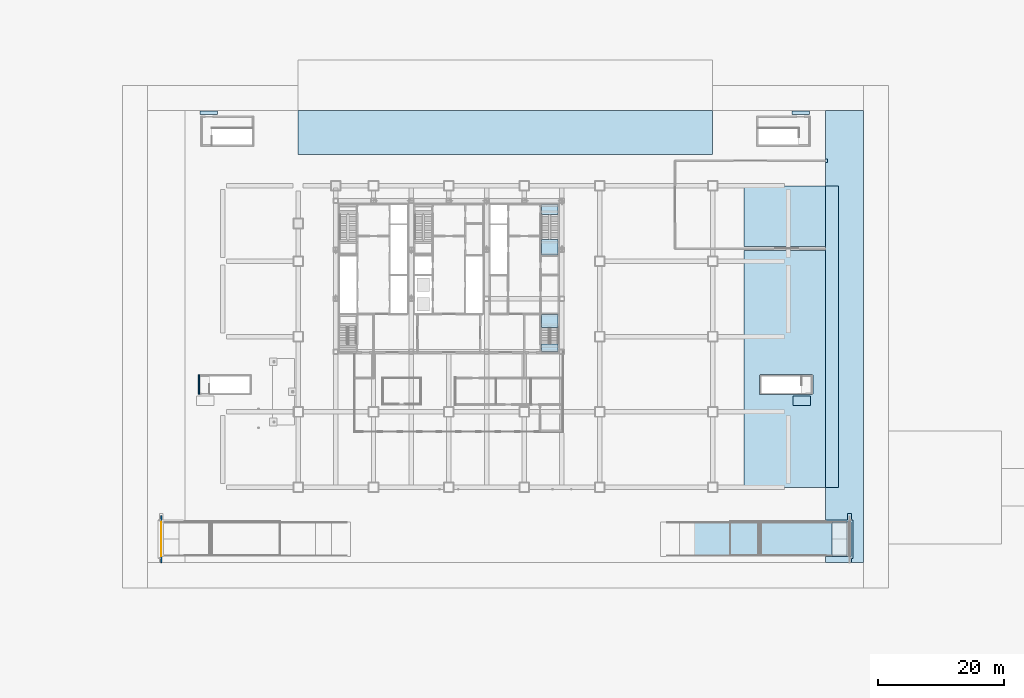
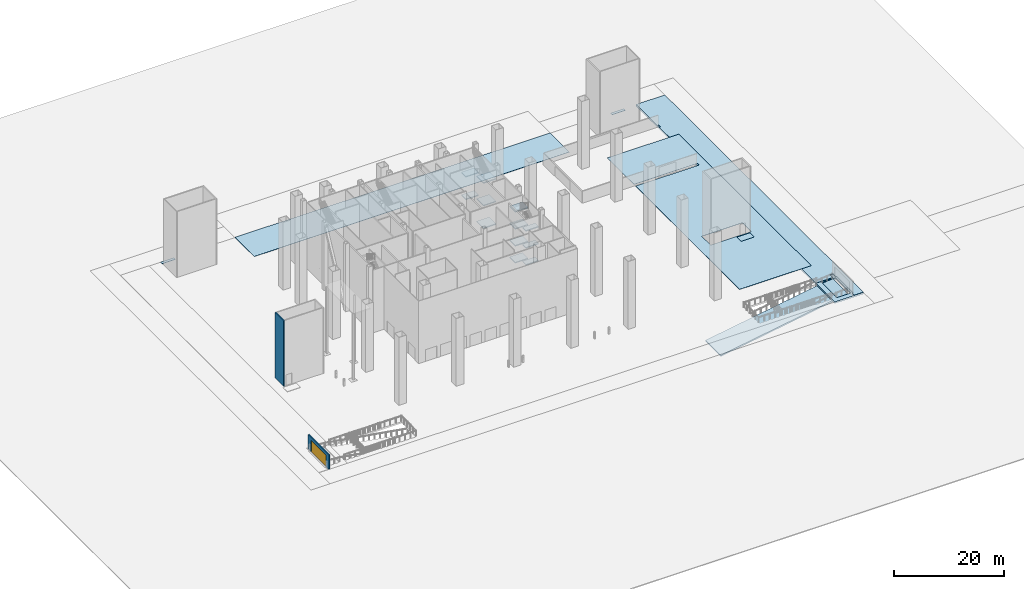
# One storey, part 5 of 22: 21 slabs, 2 walls, 1 door, 1 opening, 3 elements without a shape of their own.
"""IFC4 building model written with IfcOpenShell, lengths in metres."""

from ifc_helpers import new_model, si_unit, direction, frame, frame_2d, origin, place, context, subcontext, project, spatial, polyline, rectangle, outline, extrude, material, layer, layer_set, type_object, element, fill, aggregate, save


model = new_model("IFC4")

# Units and contexts
model_context = context("Model", 3, precision=1e-05, world=origin(), true_north=direction((0.0, 1.0)))
body_context = subcontext(model_context, "Body", "Model", "MODEL_VIEW")
ifc_project = project(units=[si_unit("LENGTHUNIT", "METRE"), si_unit("AREAUNIT", "SQUARE_METRE"), si_unit("VOLUMEUNIT", "CUBIC_METRE"), si_unit("PLANEANGLEUNIT", "RADIAN"), si_unit("MASSUNIT", "GRAM", prefix="KILO")], contexts=[model_context])

# Site, building, storey
site_placement = place(None, origin())
site = spatial("IfcSite", under=ifc_project, at=site_placement, CompositionType="ELEMENT")
building_placement = place(site_placement, origin())
building = spatial("IfcBuilding", under=site, at=building_placement, Name="Sorahane Residences", CompositionType="ELEMENT")
storey_placement = place(building_placement, origin())
storey = spatial("IfcBuildingStorey", under=building, at=storey_placement, Name="L00", CompositionType="ELEMENT", Elevation=0.0)

# Slabs
ifc_material_1 = material(Name="Granite paving", Category="masonry")
ifc_layer_1 = layer(ifc_material_1, 0.06005859375)
ifc_layer_set_1 = layer_set([ifc_layer_1], Name="Granite paving 60 on screed")
slab_type_1 = type_object("IfcSlabType", Name="Granite paving 60 on screed", PredefinedType="USERDEFINED", material=ifc_layer_set_1)
slab_1_placement = place(storey_placement, origin())
element("IfcSlab", 1, at=slab_1_placement, inside=storey, type_object=slab_type_1, Name="Paving at Basement stair BS1 exit", ObjectType="PAVING", PredefinedType="USERDEFINED", context=body_context, shape_type="SweptSolid", body=[
    extrude(outline(polyline([(-15.60009765625, 59.35009765625), (-12.800048828125, 59.35009765625), (-12.800048828125, 59.949951171875), (-15.60009765625, 59.949951171875), (-15.60009765625, 59.35009765625)])), origin(), (0.0, 0.0, 1.0), 0.06005859375),
])
slab_2_placement = place(storey_placement, origin())
element("IfcSlab", 2, at=slab_2_placement, inside=storey, type_object=slab_type_1, Name="Paving at Basement stair BS2 exit", ObjectType="PAVING", PredefinedType="USERDEFINED", context=body_context, shape_type="SweptSolid", body=[
    extrude(outline(polyline([(78.60009765625, 59.35009765625), (81.39990234375, 59.35009765625), (81.39990234375, 59.949951171875), (78.60009765625, 59.949951171875), (78.60009765625, 59.35009765625)])), origin(), (0.0, 0.0, 1.0), 0.06005859375),
])
slab_3_placement = place(storey_placement, origin())
element("IfcSlab", 3, at=slab_3_placement, inside=storey, type_object=slab_type_1, Name="Paving at Basement stair BS4 exit", ObjectType="PAVING", PredefinedType="USERDEFINED", context=body_context, shape_type="SweptSolid", body=[
    extrude(outline(polyline([(78.800048828125, 13.0), (81.60009765625, 13.0), (81.60009765625, 14.550048828125), (78.800048828125, 14.550048828125), (78.800048828125, 13.0)])), origin(), (0.0, 0.0, 1.0), 0.06005859375),
])
slab_4_placement = place(storey_placement, origin())
element("IfcSlab", 4, at=slab_4_placement, inside=storey, type_object=slab_type_1, Name="Appliance hardstanding north", ObjectType="PAVING", PredefinedType="USERDEFINED", context=body_context, shape_type="SweptSolid", body=[
    extrude(outline(polyline([(0.0, 53.0), (0.0, 60.0), (66.0, 60.0), (66.0, 53.0), (0.0, 53.0)])), origin(), (0.0, 0.0, 1.0), 0.06005859375),
])
slab_5_placement = place(storey_placement, origin())
element("IfcSlab", 5, at=slab_5_placement, inside=storey, type_object=slab_type_1, Name="Appliance hardstanding east", ObjectType="PAVING", PredefinedType="USERDEFINED", context=body_context, shape_type="SweptSolid", body=[
    extrude(outline(polyline([(71.0, 37.699951171875), (84.300048828125, 37.699951171875), (84.300048828125, 38.300048828125), (71.0, 38.300048828125), (71.0, 48.0), (86.0, 48.0), (86.0, 0.0), (71.0, 0.0), (71.0, 37.699951171875)]), holes=[polyline([(81.60009765625, 14.550048828125), (78.800048828125, 14.550048828125), (78.800048828125, 13.0), (81.60009765625, 13.0), (81.60009765625, 14.550048828125)]), polyline([(73.57080078125, 14.7529296875), (73.585205078125, 14.750732421875), (73.60009765625, 14.75), (81.800048828125, 14.75), (81.814697265625, 14.750732421875), (81.829345703125, 14.7529296875), (81.843505859375, 14.756591796875), (81.857421875, 14.761474609375), (81.87060546875, 14.767578125), (81.88330078125, 14.775390625), (81.895263671875, 14.783935546875), (81.906005859375, 14.7939453125), (81.916015625, 14.8046875), (81.9248046875, 14.816650390625), (81.932373046875, 14.829345703125), (81.938720703125, 14.842529296875), (81.943603515625, 14.8564453125), (81.947021484375, 14.87060546875), (81.94921875, 14.88525390625), (81.949951171875, 14.89990234375), (81.949951171875, 17.800048828125), (81.94921875, 17.814697265625), (81.947021484375, 17.829345703125), (81.943603515625, 17.843505859375), (81.938720703125, 17.857421875), (81.932373046875, 17.87060546875), (81.9248046875, 17.88330078125), (81.916015625, 17.895263671875), (81.906005859375, 17.906005859375), (81.895263671875, 17.916015625), (81.88330078125, 17.9248046875), (81.87060546875, 17.932373046875), (81.857421875, 17.938720703125), (81.843505859375, 17.943603515625), (81.829345703125, 17.947021484375), (81.814697265625, 17.94921875), (81.800048828125, 17.949951171875), (73.60009765625, 17.949951171875), (73.585205078125, 17.94921875), (73.57080078125, 17.947021484375), (73.556396484375, 17.943603515625), (73.54248046875, 17.938720703125), (73.529296875, 17.932373046875), (73.5166015625, 17.9248046875), (73.5048828125, 17.916015625), (73.493896484375, 17.906005859375), (73.48388671875, 17.895263671875), (73.475341796875, 17.88330078125), (73.4677734375, 17.87060546875), (73.46142578125, 17.857421875), (73.45654296875, 17.843505859375), (73.452880859375, 17.829345703125), (73.45068359375, 17.814697265625), (73.449951171875, 17.800048828125), (73.449951171875, 14.89990234375), (73.45068359375, 14.88525390625), (73.452880859375, 14.87060546875), (73.45654296875, 14.8564453125), (73.46142578125, 14.842529296875), (73.4677734375, 14.829345703125), (73.475341796875, 14.816650390625), (73.48388671875, 14.8046875), (73.493896484375, 14.7939453125), (73.5048828125, 14.783935546875), (73.5166015625, 14.775390625), (73.529296875, 14.767578125), (73.54248046875, 14.761474609375), (73.556396484375, 14.756591796875), (73.57080078125, 14.7529296875)])]), origin(), (0.0, 0.0, 1.0), 0.06005859375),
])
slab_6_placement = place(storey_placement, origin())
element("IfcSlab", 6, at=slab_6_placement, inside=storey, type_object=slab_type_1, Name="Plaza paving 2", ObjectType="PAVING", PredefinedType="USERDEFINED", context=body_context, shape_type="SweptSolid", body=[
    extrude(outline(polyline([(88.10009765625, -12.0), (88.10009765625, -11.300048828125), (88.300048828125, -11.300048828125), (88.300048828125, -5.199951171875), (88.10009765625, -5.199951171875), (88.10009765625, -4.199951171875), (87.5, -4.199951171875), (87.5, -5.199951171875), (84.0, -5.199951171875), (84.0, 0.0), (86.0, 0.0), (86.0, 48.0), (84.0, 48.0), (84.0, 51.699951171875), (84.300048828125, 51.699951171875), (84.300048828125, 52.300048828125), (84.0, 52.300048828125), (84.0, 60.0), (90.0, 60.0), (90.0, -12.0), (88.10009765625, -12.0)])), origin(), (0.0, 0.0, 1.0), 0.06005859375),
])
ifc_material_2 = material(Name="Concrete C40", Category="concrete")
ifc_layer_2 = layer(ifc_material_2, 0.360107421875)
ifc_layer_set_2 = layer_set([ifc_layer_2], Name="Reinforced concrete floor slab 360 mm Concrete C40")
slab_type_2 = type_object("IfcSlabType", Name="Reinforced concrete floor slab 360 mm Concrete C40", PredefinedType="FLOOR", material=ifc_layer_set_2)
slab_7_placement = place(storey_placement, frame((0.0, 0.0, -0.360107421875)))
element("IfcSlab", 7, at=slab_7_placement, inside=storey, type_object=slab_type_2, Name="Slab L00/plaza2", PredefinedType="FLOOR", context=body_context, shape_type="SweptSolid", body=[
    extrude(outline(polyline([(90.0, -12.0), (84.0, -12.0), (84.0, 60.0), (90.0, 60.0), (90.0, -12.0)]), holes=[polyline([(88.0, -11.0), (88.0, -5.5), (85.0, -5.5), (85.0, -11.0), (88.0, -11.0)])]), origin(), (0.0, 0.0, 1.0), 0.360107421875),
])

# Stair, slabs
ifc_material_3 = material(Name="Concrete C40", Category="concrete")
stair_type = type_object("IfcStairType", Name="Dog-leg stair 1250 Concrete C40", PredefinedType="HALF_TURN_STAIR", material=ifc_material_3)
stair_1_placement = place(storey_placement, origin())
stair_1 = element("IfcStair", 8, at=stair_1_placement, inside=storey, type_object=stair_type, Name="L00 Stair S2", PredefinedType="HALF_TURN_STAIR")
ifc_material_4 = material(Name="Concrete C40", Category="concrete")
ifc_layer_3 = layer(ifc_material_4, 0.199951171875)
ifc_layer_set_3 = layer_set([ifc_layer_3], Name="Stair landing 200 Concrete C40")
slab_type_3 = type_object("IfcSlabType", Name="Stair landing 200 Concrete C40", PredefinedType="LANDING", material=ifc_layer_set_3)
slab_8_placement = place(storey_placement, frame((0.0, 0.0, 2.300048828125)))
slab_8 = element("IfcSlab", 9, at=slab_8_placement, type_object=slab_type_3, Name="S2 landing 1", PredefinedType="LANDING", context=body_context, shape_type="SweptSolid", body=[
    extrude(outline(polyline([(38.75, 39.47998046875), (38.75, 37.0), (41.39990234375, 37.0), (41.39990234375, 39.47998046875), (38.75, 39.47998046875)])), origin(), (0.0, 0.0, 1.0), 0.199951171875),
])
slab_9_placement = place(storey_placement, frame((0.0, 0.0, 4.800048828125)))
slab_9 = element("IfcSlab", 10, at=slab_9_placement, type_object=slab_type_3, Name="S2 landing 2", PredefinedType="LANDING", context=body_context, shape_type="SweptSolid", body=[
    extrude(outline(polyline([(38.75, 45.0), (38.75, 43.39990234375), (41.39990234375, 43.39990234375), (41.39990234375, 45.0), (38.75, 45.0)])), origin(), (0.0, 0.0, 1.0), 0.199951171875),
])
slab_10_placement = place(storey_placement, frame((0.0, 0.0, 7.300048828125)))
slab_10 = element("IfcSlab", 11, at=slab_10_placement, type_object=slab_type_3, Name="S2 landing 3", PredefinedType="LANDING", context=body_context, shape_type="SweptSolid", body=[
    extrude(outline(polyline([(38.75, 39.47998046875), (38.75, 37.0), (41.39990234375, 37.0), (41.39990234375, 39.47998046875), (38.75, 39.47998046875)])), origin(), (0.0, 0.0, 1.0), 0.199951171875),
])
slab_11_placement = place(storey_placement, frame((0.0, 0.0, 9.800048828125)))
slab_11 = element("IfcSlab", 12, at=slab_11_placement, type_object=slab_type_3, Name="S2 landing 4", PredefinedType="LANDING", context=body_context, shape_type="SweptSolid", body=[
    extrude(outline(polyline([(38.75, 45.0), (38.75, 43.39990234375), (41.39990234375, 43.39990234375), (41.39990234375, 45.0), (38.75, 45.0)])), origin(), (0.0, 0.0, 1.0), 0.199951171875),
])
slab_12_placement = place(storey_placement, frame((0.0, 0.0, 12.300048828125)))
slab_12 = element("IfcSlab", 13, at=slab_12_placement, type_object=slab_type_3, Name="S2 landing 5", PredefinedType="LANDING", context=body_context, shape_type="SweptSolid", body=[
    extrude(outline(polyline([(38.75, 39.47998046875), (38.75, 37.0), (41.39990234375, 37.0), (41.39990234375, 39.47998046875), (38.75, 39.47998046875)])), origin(), (0.0, 0.0, 1.0), 0.199951171875),
])
aggregate(stair_1, [slab_8, slab_9, slab_10, slab_11, slab_12])

stair_2_placement = place(storey_placement, origin())
stair_2 = element("IfcStair", 14, at=stair_2_placement, inside=storey, type_object=stair_type, Name="L00 Stair S5", PredefinedType="HALF_TURN_STAIR")
slab_13_placement = place(storey_placement, frame((0.0, 0.0, 1.675048828125)))
slab_13 = element("IfcSlab", 15, at=slab_13_placement, type_object=slab_type_3, Name="S5 landing 1", PredefinedType="LANDING", context=body_context, shape_type="SweptSolid", body=[
    extrude(outline(polyline([(41.39990234375, 25.449951171875), (41.39990234375, 27.5), (38.75, 27.5), (38.75, 25.449951171875), (41.39990234375, 25.449951171875)])), origin(), (0.0, 0.0, 1.0), 0.199951171875),
])
slab_14_placement = place(storey_placement, frame((0.0, 0.0, 3.550048828125)))
slab_14 = element("IfcSlab", 16, at=slab_14_placement, type_object=slab_type_3, Name="S5 landing 2", PredefinedType="LANDING", context=body_context, shape_type="SweptSolid", body=[
    extrude(outline(polyline([(41.39990234375, 21.60009765625), (41.39990234375, 22.85009765625), (38.75, 22.85009765625), (38.75, 21.60009765625), (41.39990234375, 21.60009765625)])), origin(), (0.0, 0.0, 1.0), 0.199951171875),
])
slab_15_placement = place(storey_placement, frame((0.0, 0.0, 5.425048828125)))
slab_15 = element("IfcSlab", 17, at=slab_15_placement, type_object=slab_type_3, Name="S5 landing 3", PredefinedType="LANDING", context=body_context, shape_type="SweptSolid", body=[
    extrude(outline(polyline([(41.39990234375, 25.449951171875), (41.39990234375, 27.5), (38.75, 27.5), (38.75, 25.449951171875), (41.39990234375, 25.449951171875)])), origin(), (0.0, 0.0, 1.0), 0.199951171875),
])
slab_16_placement = place(storey_placement, frame((0.0, 0.0, 7.300048828125)))
slab_16 = element("IfcSlab", 18, at=slab_16_placement, type_object=slab_type_3, Name="S5 landing 4", PredefinedType="LANDING", context=body_context, shape_type="SweptSolid", body=[
    extrude(outline(polyline([(41.39990234375, 21.60009765625), (41.39990234375, 22.85009765625), (38.75, 22.85009765625), (38.75, 21.60009765625), (41.39990234375, 21.60009765625)])), origin(), (0.0, 0.0, 1.0), 0.199951171875),
])
slab_17_placement = place(storey_placement, frame((0.0, 0.0, 9.175048828125)))
slab_17 = element("IfcSlab", 19, at=slab_17_placement, type_object=slab_type_3, Name="S5 landing 5", PredefinedType="LANDING", context=body_context, shape_type="SweptSolid", body=[
    extrude(outline(polyline([(41.39990234375, 25.449951171875), (41.39990234375, 27.5), (38.75, 27.5), (38.75, 25.449951171875), (41.39990234375, 25.449951171875)])), origin(), (0.0, 0.0, 1.0), 0.199951171875),
])
slab_18_placement = place(storey_placement, frame((0.0, 0.0, 11.050048828125)))
slab_18 = element("IfcSlab", 20, at=slab_18_placement, type_object=slab_type_3, Name="S5 landing 6", PredefinedType="LANDING", context=body_context, shape_type="SweptSolid", body=[
    extrude(outline(polyline([(41.39990234375, 21.60009765625), (41.39990234375, 22.85009765625), (38.75, 22.85009765625), (38.75, 21.60009765625), (41.39990234375, 21.60009765625)])), origin(), (0.0, 0.0, 1.0), 0.199951171875),
])
slab_19_placement = place(storey_placement, frame((0.0, 0.0, 12.925048828125)))
slab_19 = element("IfcSlab", 21, at=slab_19_placement, type_object=slab_type_3, Name="S5 landing 7", PredefinedType="LANDING", context=body_context, shape_type="SweptSolid", body=[
    extrude(outline(polyline([(41.39990234375, 25.449951171875), (41.39990234375, 27.5), (38.75, 27.5), (38.75, 25.449951171875), (41.39990234375, 25.449951171875)])), origin(), (0.0, 0.0, 1.0), 0.199951171875),
])
aggregate(stair_2, [slab_13, slab_14, slab_15, slab_16, slab_17, slab_18, slab_19])

# Ramp, slabs
ifc_material_5 = material(Name="Concrete C40", Category="concrete")
ifc_layer_4 = layer(ifc_material_5, 0.300048828125)
ifc_layer_set_4 = layer_set([ifc_layer_4], Name="Vehicle ramp 300 Concrete C40")
ramp_type = type_object("IfcRampType", Name="Vehicle ramp 300 Concrete C40", PredefinedType="STRAIGHT_RUN_RAMP", material=ifc_layer_set_4)
ramp_placement = place(storey_placement, origin())
ramp = element("IfcRamp", 22, at=ramp_placement, inside=storey, type_object=ramp_type, Name="Vehicle ramp E L00 to B1", PredefinedType="STRAIGHT_RUN_RAMP")
ifc_material_6 = material(Name="Concrete C40", Category="concrete")
ifc_layer_5 = layer(ifc_material_6, 0.300048828125)
ifc_layer_set_5 = layer_set([ifc_layer_5], Name="Vehicle ramp slab 300 Concrete C40")
slab_type_4 = type_object("IfcSlabType", Name="Vehicle ramp slab 300 Concrete C40", PredefinedType="USERDEFINED", material=ifc_layer_set_5)
slab_20_placement = place(storey_placement, frame((87.39990234375, -11.0, 0.0), z_axis=(-0.083028700011, 0.0, 0.996547156423), x_axis=(-0.996547156423, 0.0, -0.083028700011)))
slab_20 = element("IfcSlab", 23, at=slab_20_placement, type_object=slab_type_4, Name="Ramp slab E L00 1", ObjectType="RAMP", PredefinedType="USERDEFINED", context=body_context, shape_type="SweptSolid", body=[
    extrude(outline(polyline([(0.0, 0.0), (2.408217542223071, 0.0), (2.408217542223071, -5.5), (0.0, -5.5), (0.0, 0.0)])), origin(), (0.0, 0.0, -1.0), 0.300048828125),
])
slab_21_placement = place(storey_placement, frame((85.0, -11.0, -0.199951171875), z_axis=(-0.164400594367, 0.0, 0.986393655987), x_axis=(-0.986393655987, 0.0, -0.164400594367)))
slab_21 = element("IfcSlab", 24, at=slab_21_placement, type_object=slab_type_4, Name="Ramp slab E L00 2", ObjectType="RAMP", PredefinedType="USERDEFINED", context=body_context, shape_type="SweptSolid", body=[
    extrude(outline(polyline([(0.0, 0.0), (24.6352444388006, 0.0), (24.6352444388006, -5.499999999999999), (0.0, -5.499999999999999), (0.0, 0.0)])), origin(), (0.0, 0.0, -1.0), 0.300048828125),
])
aggregate(ramp, [slab_20, slab_21])

# Wall
ifc_material_7 = material(Name="Concrete blockwork C20 wall", Category="masonry")
ifc_layer_6 = layer(ifc_material_7, 0.199951171875)
ifc_layer_set_6 = layer_set([ifc_layer_6], Name="Fire wall 200 EI 120")
wall_type_1 = type_object("IfcWallType", Name="Fire wall 200 EI 120", PredefinedType="SOLIDWALL", material=ifc_layer_set_6)
wall_1_placement = place(storey_placement, frame((-15.800048828125, 14.800048828125, 0.0), z_axis=(0.0, 0.0, 1.0), x_axis=(0.0, 1.0, 0.0)))
element("IfcWall", 25, at=wall_1_placement, inside=storey, type_object=wall_type_1, Name="L00 fire wall", PredefinedType="SOLIDWALL", context=body_context, shape_type="SweptSolid", body=[
    extrude(rectangle(XDim=3.099853515625, YDim=0.199951171875, at=frame_2d((1.5498046875, 0.0))), origin(), (0.0, 0.0, 1.0), 14.550048828125),
])

# Wall, opening, door
ifc_material_8 = material(Name="Concrete C30", Category="concrete")
ifc_layer_7 = layer(ifc_material_8, 0.199951171875)
ifc_layer_set_7 = layer_set([ifc_layer_7], Name="Gate screen wall 200 Concrete C30")
wall_type_2 = type_object("IfcWallType", Name="Gate screen wall 200 Concrete C30", PredefinedType="SOLIDWALL", material=ifc_layer_set_7)
wall_2_placement = place(storey_placement, frame((-21.800048828125, -12.0, 0.0), z_axis=(0.0, 0.0, 1.0), x_axis=(0.0, 1.0, 0.0)))
wall_2 = element("IfcWall", 26, at=wall_2_placement, inside=storey, type_object=wall_type_2, Name="West ramp portal gate screen", PredefinedType="SOLIDWALL", context=body_context, shape_type="SweptSolid", body=[
    extrude(rectangle(XDim=7.5, YDim=0.199951171875, at=frame_2d((3.75, 0.0))), origin(), (0.0, 0.0, 1.0), 3.199951171875),
])
opening_placement = place(wall_2_placement, frame((1.0, 0.0, 0.0)))
opening = element("IfcOpeningElement", 27, at=opening_placement, cuts=wall_2, Name="Opening G-W", PredefinedType="OPENING", context=body_context, shape_type="SweptSolid", body=[
    extrude(rectangle(XDim=5.5, YDim=2.5, at=frame_2d((2.75, 1.25))), frame((0.0, 0.10986328125, 0.0), z_axis=(0.0, -1.0, 0.0), x_axis=(1.0, 0.0, 0.0)), (0.0, 0.0, 1.0), 0.219970703125),
])
ifc_material_9 = material(Name="Galvanised steel", Category="steel")
door_type = type_object("IfcDoorType", Name="Vehicle gate sliding 5500x2500 Steel", OperationType="SLIDING_TO_LEFT", PredefinedType="GATE", material=ifc_material_9)
door_placement = place(opening_placement, origin())
door = element("IfcDoor", 28, at=door_placement, inside=storey, type_object=door_type, Name="Vehicle gate West ramp portal", OperationType="SLIDING_TO_LEFT", OverallHeight=2.5, OverallWidth=5.5, PredefinedType="GATE", context=body_context, shape_type="SweptSolid", body=[
    extrude(rectangle(XDim=5.5, YDim=2.5, at=frame_2d((2.75, 1.25))), frame((0.0, 0.02490234375, 0.0), z_axis=(0.0, -1.0, 0.0), x_axis=(1.0, 0.0, 0.0)), (0.0, 0.0, 1.0), 0.050048828125),
])
fill(opening, door)

save(model, "model.ifc")
